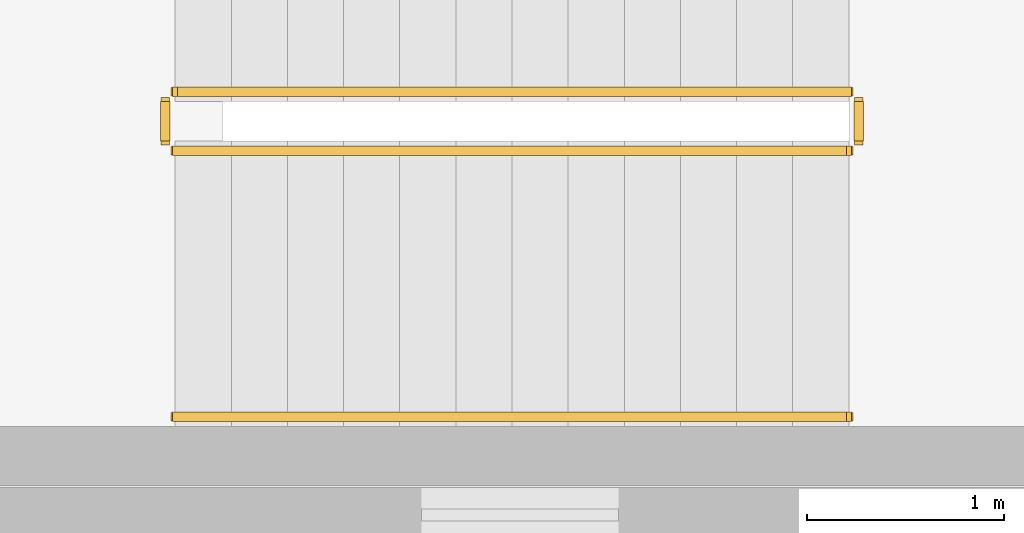
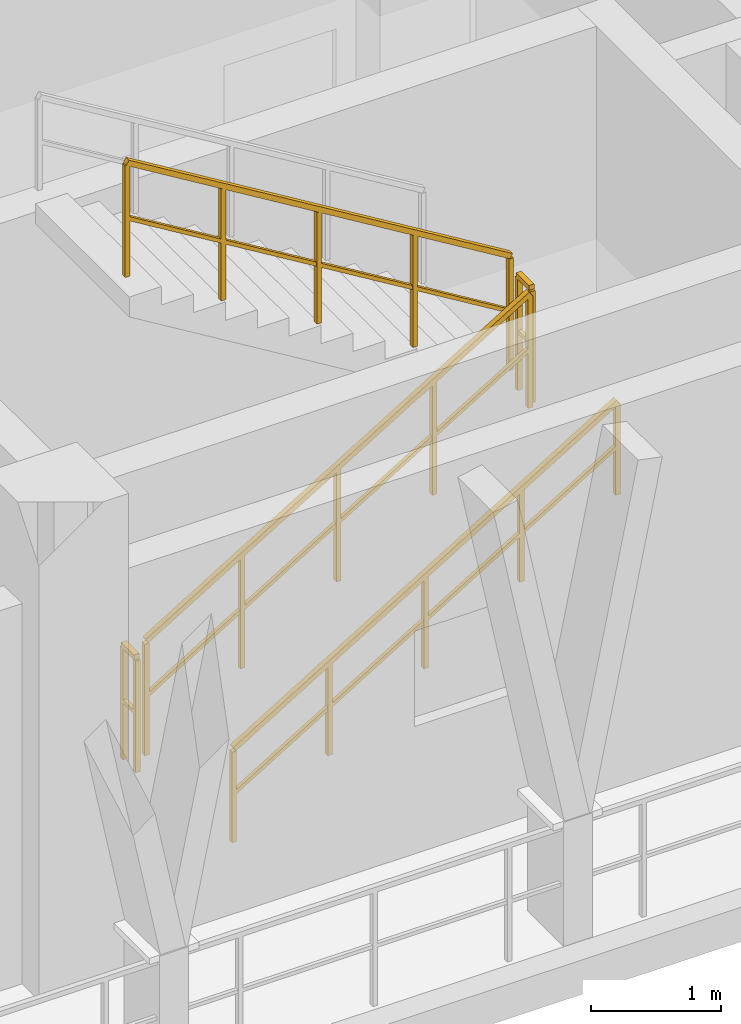
# One storey, part 98 of 110: 5 railings.
"""IFC4 building model written with IfcOpenShell, lengths in metres."""

from ifc_helpers import new_model, si_unit, direction, frame, origin, origin_2d, place, context, subcontext, project, spatial, rectangle, extrude, material, type_object, element, save


model = new_model("IFC4")

# Units and contexts
model_context = context("Model", 3, precision=1e-05, world=origin(), true_north=direction((0.0, 1.0)))
body_context = subcontext(model_context, "Body", "Model", "MODEL_VIEW")
ifc_project = project(units=[si_unit("LENGTHUNIT", "METRE"), si_unit("AREAUNIT", "SQUARE_METRE"), si_unit("VOLUMEUNIT", "CUBIC_METRE"), si_unit("PLANEANGLEUNIT", "RADIAN"), si_unit("MASSUNIT", "GRAM", prefix="KILO")], contexts=[model_context])

# Site, building, storey
site_placement = place(None, origin())
site = spatial("IfcSite", under=ifc_project, at=site_placement, CompositionType="ELEMENT")
building_placement = place(site_placement, origin())
building = spatial("IfcBuilding", under=site, at=building_placement, Name="Suanplinth Sawtooth Commons", CompositionType="ELEMENT")
storey_placement = place(building_placement, frame((0.0, 0.0, 4.5)))
storey = spatial("IfcBuildingStorey", under=building, at=storey_placement, Name="L01", CompositionType="ELEMENT", Elevation=4.5)

# Railings
ifc_material = material(Name="Stainless steel Grade 304", Category="steel")
railing_type_1 = type_object("IfcRailingType", Name="GR-04", PredefinedType="GUARDRAIL", material=ifc_material)
railing_1_placement = place(storey_placement, frame((45.050048828125, 109.85009765625, 0.173095703125)))
element("IfcRailing", 1, at=railing_1_placement, inside=storey, type_object=railing_type_1, Name="L01 ST-N1 Guard 1", PredefinedType="GUARDRAIL", context=body_context, shape_type="SweptSolid", body=[
    extrude(rectangle(XDim=0.048095703125, YDim=0.048095703125, at=origin_2d()), frame((0.0, 0.0, 1.076171875), z_axis=(0.854729506542, 0.0, 0.519073665916), x_axis=(0.0, 1.0, 0.0)), (0.0, 0.0, 1.0), 4.001220703125),
    extrude(rectangle(XDim=0.03369140625, YDim=0.03369140625, at=origin_2d()), frame((0.0, 0.0, 0.550048828125), z_axis=(0.854729506542, 0.0, 0.519073665916), x_axis=(0.0, 1.0, 0.0)), (0.0, 0.0, 1.0), 4.001220703125),
    extrude(rectangle(XDim=0.0419921875, YDim=0.0419921875, at=origin_2d()), origin(), (0.0, 0.0, 1.0), 1.052001953125),
    extrude(rectangle(XDim=0.0419921875, YDim=0.0419921875, at=origin_2d()), frame((0.85498046875, 0.0, 0.519287109375)), (0.0, 0.0, 1.0), 1.052001953125),
    extrude(rectangle(XDim=0.0419921875, YDim=0.0419921875, at=origin_2d()), frame((1.7099609375, 0.0, 1.03857421875)), (0.0, 0.0, 1.0), 1.052001953125),
    extrude(rectangle(XDim=0.0419921875, YDim=0.0419921875, at=origin_2d()), frame((2.56494140625, 0.0, 1.5576171875)), (0.0, 0.0, 1.0), 1.052001953125),
    extrude(rectangle(XDim=0.0419921875, YDim=0.0419921875, at=origin_2d()), frame((3.419921875, 0.0, 2.076904296875)), (0.0, 0.0, 1.0), 1.052001953125),
])
railing_2_placement = place(storey_placement, frame((48.52001953125, 109.89990234375, 2.25)))
element("IfcRailing", 2, at=railing_2_placement, inside=storey, type_object=railing_type_1, Name="L01 ST-N1 Guard 2", PredefinedType="GUARDRAIL", context=body_context, shape_type="SweptSolid", body=[
    extrude(rectangle(XDim=0.048095703125, YDim=0.048095703125, at=origin_2d()), frame((0.0, 0.0, 1.076171875), z_axis=(0.0, 1.0, 0.0), x_axis=(-1.0, 0.0, 0.0)), (0.0, 0.0, 1.0), 0.2001953125),
    extrude(rectangle(XDim=0.03369140625, YDim=0.03369140625, at=origin_2d()), frame((0.0, 0.0, 0.550048828125), z_axis=(0.0, 1.0, 0.0), x_axis=(-1.0, 0.0, 0.0)), (0.0, 0.0, 1.0), 0.2001953125),
    extrude(rectangle(XDim=0.0419921875, YDim=0.0419921875, at=origin_2d()), origin(), (0.0, 0.0, 1.0), 1.052001953125),
    extrude(rectangle(XDim=0.0419921875, YDim=0.0419921875, at=origin_2d()), frame((0.0, 0.2001953125, 0.0)), (0.0, 0.0, 1.0), 1.052001953125),
])
railing_3_placement = place(storey_placement, frame((48.469970703125, 110.14990234375, 2.423095703125)))
element("IfcRailing", 3, at=railing_3_placement, inside=storey, type_object=railing_type_1, Name="L01 ST-N1 Guard 3", PredefinedType="GUARDRAIL", context=body_context, shape_type="SweptSolid", body=[
    extrude(rectangle(XDim=0.048095703125, YDim=0.048095703125, at=origin_2d()), frame((0.0, 0.0, 1.076171875), z_axis=(-0.854729506542, 0.0, 0.519073665916), x_axis=(0.0, -1.0, 0.0)), (0.0, 0.0, 1.0), 4.001220703125),
    extrude(rectangle(XDim=0.03369140625, YDim=0.03369140625, at=origin_2d()), frame((0.0, 0.0, 0.550048828125), z_axis=(-0.854729506542, 0.0, 0.519073665916), x_axis=(0.0, -1.0, 0.0)), (0.0, 0.0, 1.0), 4.001220703125),
    extrude(rectangle(XDim=0.0419921875, YDim=0.0419921875, at=origin_2d()), origin(), (0.0, 0.0, 1.0), 1.052001953125),
    extrude(rectangle(XDim=0.0419921875, YDim=0.0419921875, at=origin_2d()), frame((-0.85498046875, 0.0, 0.519287109375)), (0.0, 0.0, 1.0), 1.052001953125),
    extrude(rectangle(XDim=0.0419921875, YDim=0.0419921875, at=origin_2d()), frame((-1.7099609375, 0.0, 1.03857421875)), (0.0, 0.0, 1.0), 1.052001953125),
    extrude(rectangle(XDim=0.0419921875, YDim=0.0419921875, at=origin_2d()), frame((-2.56494140625, 0.0, 1.5576171875)), (0.0, 0.0, 1.0), 1.052001953125),
    extrude(rectangle(XDim=0.0419921875, YDim=0.0419921875, at=origin_2d()), frame((-3.419921875, 0.0, 2.076904296875)), (0.0, 0.0, 1.0), 1.052001953125),
])
railing_4_placement = place(storey_placement, frame((45.0, 109.89990234375, 0.0)))
element("IfcRailing", 4, at=railing_4_placement, inside=storey, type_object=railing_type_1, Name="L01 ST-N1 Guard 4", PredefinedType="GUARDRAIL", context=body_context, shape_type="SweptSolid", body=[
    extrude(rectangle(XDim=0.048095703125, YDim=0.048095703125, at=origin_2d()), frame((0.0, 0.0, 1.076171875), z_axis=(0.0, 1.0, 0.0), x_axis=(-1.0, 0.0, 0.0)), (0.0, 0.0, 1.0), 0.2001953125),
    extrude(rectangle(XDim=0.03369140625, YDim=0.03369140625, at=origin_2d()), frame((0.0, 0.0, 0.550048828125), z_axis=(0.0, 1.0, 0.0), x_axis=(-1.0, 0.0, 0.0)), (0.0, 0.0, 1.0), 0.2001953125),
    extrude(rectangle(XDim=0.0419921875, YDim=0.0419921875, at=origin_2d()), origin(), (0.0, 0.0, 1.0), 1.052001953125),
    extrude(rectangle(XDim=0.0419921875, YDim=0.0419921875, at=origin_2d()), frame((0.0, 0.2001953125, 0.0)), (0.0, 0.0, 1.0), 1.052001953125),
])
railing_type_2 = type_object("IfcRailingType", Name="HR-01", PredefinedType="HANDRAIL", material=ifc_material)
railing_5_placement = place(storey_placement, frame((45.050048828125, 108.5, 0.173095703125)))
element("IfcRailing", 5, at=railing_5_placement, inside=storey, type_object=railing_type_2, Name="L01 ST-N1 Handrail 1", PredefinedType="HANDRAIL", context=body_context, shape_type="SweptSolid", body=[
    extrude(rectangle(XDim=0.048095703125, YDim=0.048095703125, at=origin_2d()), frame((0.0, 0.0, 0.8759765625), z_axis=(0.854729506542, 0.0, 0.519073665916), x_axis=(0.0, 1.0, 0.0)), (0.0, 0.0, 1.0), 4.001220703125),
    extrude(rectangle(XDim=0.03369140625, YDim=0.03369140625, at=origin_2d()), frame((0.0, 0.0, 0.449951171875), z_axis=(0.854729506542, 0.0, 0.519073665916), x_axis=(0.0, 1.0, 0.0)), (0.0, 0.0, 1.0), 4.001220703125),
    extrude(rectangle(XDim=0.0419921875, YDim=0.0419921875, at=origin_2d()), origin(), (0.0, 0.0, 1.0), 0.851806640625),
    extrude(rectangle(XDim=0.0419921875, YDim=0.0419921875, at=origin_2d()), frame((0.85498046875, 0.0, 0.519287109375)), (0.0, 0.0, 1.0), 0.851806640625),
    extrude(rectangle(XDim=0.0419921875, YDim=0.0419921875, at=origin_2d()), frame((1.7099609375, 0.0, 1.03857421875)), (0.0, 0.0, 1.0), 0.851806640625),
    extrude(rectangle(XDim=0.0419921875, YDim=0.0419921875, at=origin_2d()), frame((2.56494140625, 0.0, 1.5576171875)), (0.0, 0.0, 1.0), 0.851806640625),
    extrude(rectangle(XDim=0.0419921875, YDim=0.0419921875, at=origin_2d()), frame((3.419921875, 0.0, 2.076904296875)), (0.0, 0.0, 1.0), 0.851806640625),
])

save(model, "model.ifc")
